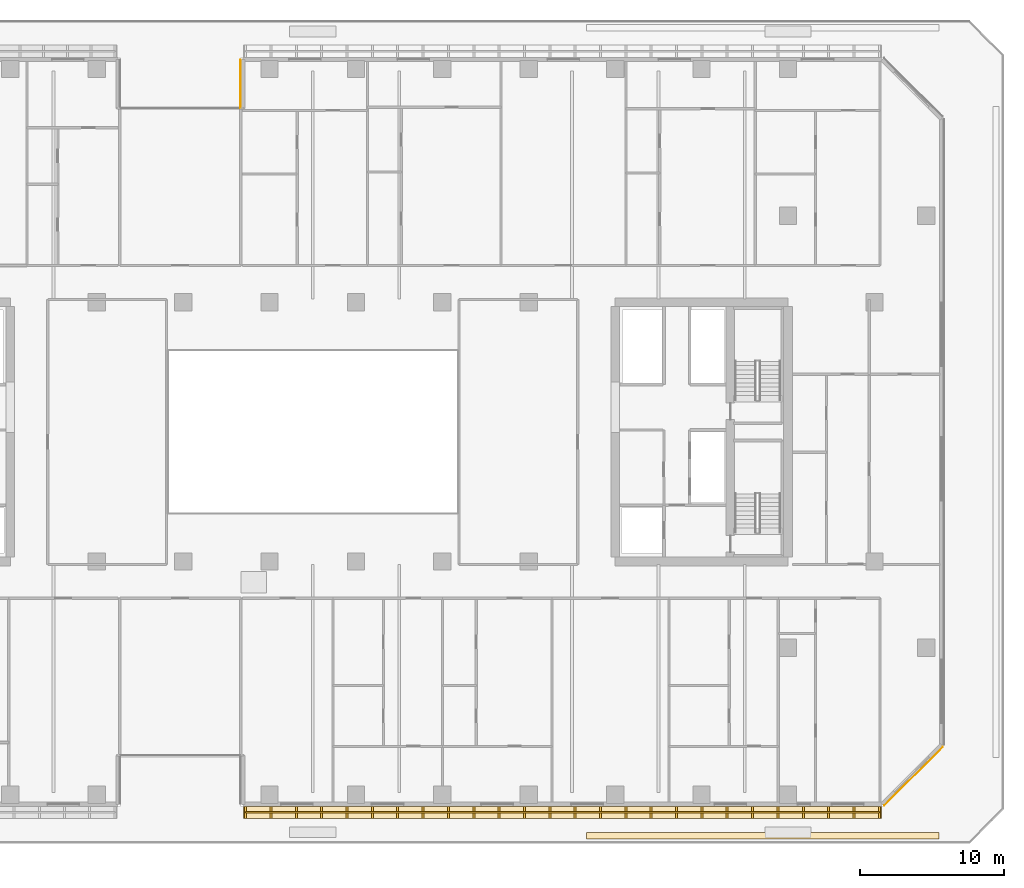
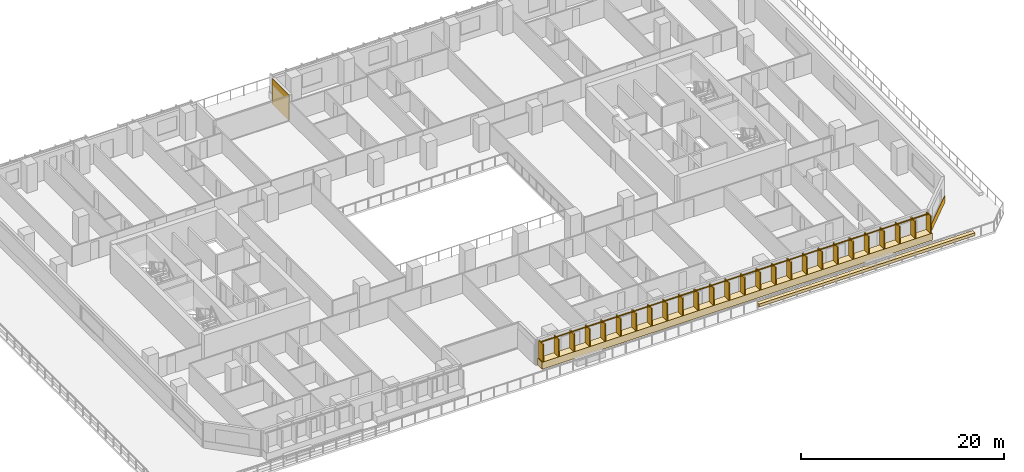
# One storey, part 19 of 23: 4 coverings, 1 railing.
"""IFC4 building model written with IfcOpenShell, lengths in metres."""

from ifc_helpers import new_model, si_unit, direction, frame, origin, origin_2d, place, context, subcontext, project, spatial, polyline, rectangle, outline, extrude, material, layer, layer_set, type_object, element, save


model = new_model("IFC4")

# Units and contexts
model_context = context("Model", 3, precision=1e-05, world=origin(), true_north=direction((0.0, 1.0)))
body_context = subcontext(model_context, "Body", "Model", "MODEL_VIEW")
ifc_project = project(units=[si_unit("LENGTHUNIT", "METRE"), si_unit("AREAUNIT", "SQUARE_METRE"), si_unit("VOLUMEUNIT", "CUBIC_METRE"), si_unit("PLANEANGLEUNIT", "RADIAN"), si_unit("MASSUNIT", "GRAM", prefix="KILO")], contexts=[model_context])

# Site, building, storey
site_placement = place(None, origin())
site = spatial("IfcSite", under=ifc_project, at=site_placement, CompositionType="ELEMENT")
building_placement = place(site_placement, origin())
building = spatial("IfcBuilding", under=site, at=building_placement, Name="Tanjung Sevakor Pilgrim Tower", CompositionType="ELEMENT")
storey_placement = place(building_placement, frame((0.0, 0.0, 29.0400390625)))
storey = spatial("IfcBuildingStorey", under=building, at=storey_placement, Name="L07", CompositionType="ELEMENT", Elevation=29.0400390625)

# Coverings
ifc_material_1 = material(Name="Reconstructed Limestone Cladding", Category="masonry")
ifc_layer_1 = layer(ifc_material_1, 0.044921875)
ifc_layer_set_1 = layer_set([ifc_layer_1], Name="COV-CLAD-LIMESTONE")
covering_type_1 = type_object("IfcCoveringType", Name="COV-CLAD-LIMESTONE", PredefinedType="CLADDING", material=ifc_layer_set_1)
covering_1_placement = place(storey_placement, frame((74.341064453125, 7.169921875, 0.009765625), z_axis=(0.0, 0.0, 1.0), x_axis=(1.0, 0.0, 0.0)))
element("IfcCovering", 1, at=covering_1_placement, inside=storey, type_object=covering_type_1, Name="L07 Warm Limestone Sill Spandrel EW-L07-MAIN-5-1", PredefinedType="CLADDING", context=body_context, shape_type="SweptSolid", body=[
    extrude(rectangle(XDim=44.322021484375, YDim=0.860107421875, at=origin_2d()), origin(), (0.0, 0.0, 1.0), 0.840087890625),
])
covering_2_placement = place(storey_placement, frame((98.7158203125, 9.68408203125, 0.009765625), z_axis=(0.0, 0.0, 1.0), x_axis=(0.707106781187, 0.707106781187, 0.0)))
element("IfcCovering", 2, at=covering_2_placement, inside=storey, type_object=covering_type_1, Name="L07 Warm Limestone Sill Spandrel EW-CHM-L07-MAIN-5-1", PredefinedType="CLADDING", context=body_context, shape_type="SweptSolid", body=[
    extrude(rectangle(XDim=5.74365234375, YDim=0.044921875, at=origin_2d()), origin(), (0.0, 0.0, 1.0), 0.840087890625),
])
covering_3_placement = place(storey_placement, frame((51.9775390625, 57.760009765625, 0.02001953125), z_axis=(0.0, 0.0, 1.0), x_axis=(0.0, -1.0, 0.0)))
element("IfcCovering", 3, at=covering_3_placement, inside=storey, type_object=covering_type_1, Name="L07 Warm Limestone Wall Cladding EW-L07-MAIN-10", PredefinedType="CLADDING", context=body_context, shape_type="SweptSolid", body=[
    extrude(rectangle(XDim=3.360107421875, YDim=0.044921875, at=origin_2d()), origin(), (0.0, 0.0, 1.0), 3.0400390625),
])
ifc_material_2 = material(Name="Vegetated Modular Planter Assembly", Category="organic")
ifc_layer_2 = layer(ifc_material_2, 0.35009765625)
ifc_layer_set_2 = layer_set([ifc_layer_2], Name="COV-GRN-TROUGH")
covering_type_2 = type_object("IfcCoveringType", Name="COV-GRN-TROUGH", PredefinedType="CLADDING", material=ifc_layer_set_2)
covering_4_placement = place(storey_placement, origin())
element("IfcCovering", 4, at=covering_4_placement, inside=storey, type_object=covering_type_2, Name="L07 Planted Landscape Hedge Trough PGRN-L07-SE", PredefinedType="CLADDING", context=body_context, shape_type="SweptSolid", body=[
    extrude(outline(polyline([(76.0, 5.330078125), (100.5, 5.330078125), (100.5, 5.77001953125), (76.0, 5.77001953125), (76.0, 5.330078125)])), origin(), (0.0, 0.0, 1.0), 0.349853515625),
])

# Railing
ifc_material_3 = material(Name="Anodised Bronze Aluminium 6063-T6", Category="aluminium")
railing_type = type_object("IfcRailingType", Name="RL-FIN-SCREEN", PredefinedType="BALUSTRADE", material=ifc_material_3)
railing_placement = place(storey_placement, frame((52.340087890625, 7.175048828125, 0.83984375)))
element("IfcRailing", 5, at=railing_placement, inside=storey, type_object=railing_type, Name="L07 Vertical Bronze-Gold Solar Fin Screen FNSCR-EW-L07-MAIN-5-1", PredefinedType="BALUSTRADE", context=body_context, shape_type="SweptSolid", body=[
    extrude(rectangle(XDim=0.105, YDim=0.105), frame((0.0, 0.0, 2.157470703125), z_axis=(1.0, 0.0, 0.0), x_axis=(0.0, 1.0, 0.0)), (0.0, 0.0, 1.0), 44.001953125),
    extrude(rectangle(XDim=0.14, YDim=0.85), origin(), (0.0, 0.0, 1.0), 2.10498046875),
    extrude(rectangle(XDim=0.14, YDim=0.85), frame((1.760009765625, 0.0, 0.0)), (0.0, 0.0, 1.0), 2.10498046875),
    extrude(rectangle(XDim=0.14, YDim=0.85), frame((3.520263671875, 0.0, 0.0)), (0.0, 0.0, 1.0), 2.10498046875),
    extrude(rectangle(XDim=0.14, YDim=0.85), frame((5.2802734375, 0.0, 0.0)), (0.0, 0.0, 1.0), 2.10498046875),
    extrude(rectangle(XDim=0.14, YDim=0.85), frame((7.040283203125, 0.0, 0.0)), (0.0, 0.0, 1.0), 2.10498046875),
    extrude(rectangle(XDim=0.14, YDim=0.85), frame((8.80029296875, 0.0, 0.0)), (0.0, 0.0, 1.0), 2.10498046875),
    extrude(rectangle(XDim=0.14, YDim=0.85), frame((10.560546875, 0.0, 0.0)), (0.0, 0.0, 1.0), 2.10498046875),
    extrude(rectangle(XDim=0.14, YDim=0.85), frame((12.320556640625, 0.0, 0.0)), (0.0, 0.0, 1.0), 2.10498046875),
    extrude(rectangle(XDim=0.14, YDim=0.85), frame((14.08056640625, 0.0, 0.0)), (0.0, 0.0, 1.0), 2.10498046875),
    extrude(rectangle(XDim=0.14, YDim=0.85), frame((15.8408203125, 0.0, 0.0)), (0.0, 0.0, 1.0), 2.10498046875),
    extrude(rectangle(XDim=0.14, YDim=0.85), frame((17.600830078125, 0.0, 0.0)), (0.0, 0.0, 1.0), 2.10498046875),
    extrude(rectangle(XDim=0.14, YDim=0.85), frame((19.36083984375, 0.0, 0.0)), (0.0, 0.0, 1.0), 2.10498046875),
    extrude(rectangle(XDim=0.14, YDim=0.85), frame((21.120849609375, 0.0, 0.0)), (0.0, 0.0, 1.0), 2.10498046875),
    extrude(rectangle(XDim=0.14, YDim=0.85), frame((22.881103515625, 0.0, 0.0)), (0.0, 0.0, 1.0), 2.10498046875),
    extrude(rectangle(XDim=0.14, YDim=0.85), frame((24.64111328125, 0.0, 0.0)), (0.0, 0.0, 1.0), 2.10498046875),
    extrude(rectangle(XDim=0.14, YDim=0.85), frame((26.401123046875, 0.0, 0.0)), (0.0, 0.0, 1.0), 2.10498046875),
    extrude(rectangle(XDim=0.14, YDim=0.85), frame((28.1611328125, 0.0, 0.0)), (0.0, 0.0, 1.0), 2.10498046875),
    extrude(rectangle(XDim=0.14, YDim=0.85), frame((29.92138671875, 0.0, 0.0)), (0.0, 0.0, 1.0), 2.10498046875),
    extrude(rectangle(XDim=0.14, YDim=0.85), frame((31.681396484375, 0.0, 0.0)), (0.0, 0.0, 1.0), 2.10498046875),
    extrude(rectangle(XDim=0.14, YDim=0.85), frame((33.44140625, 0.0, 0.0)), (0.0, 0.0, 1.0), 2.10498046875),
    extrude(rectangle(XDim=0.14, YDim=0.85), frame((35.20166015625, 0.0, 0.0)), (0.0, 0.0, 1.0), 2.10498046875),
    extrude(rectangle(XDim=0.14, YDim=0.85), frame((36.961669921875, 0.0, 0.0)), (0.0, 0.0, 1.0), 2.10498046875),
    extrude(rectangle(XDim=0.14, YDim=0.85), frame((38.7216796875, 0.0, 0.0)), (0.0, 0.0, 1.0), 2.10498046875),
    extrude(rectangle(XDim=0.14, YDim=0.85), frame((40.481689453125, 0.0, 0.0)), (0.0, 0.0, 1.0), 2.10498046875),
    extrude(rectangle(XDim=0.14, YDim=0.85), frame((42.241943359375, 0.0, 0.0)), (0.0, 0.0, 1.0), 2.10498046875),
    extrude(rectangle(XDim=0.14, YDim=0.85), frame((44.001953125, 0.0, 0.0)), (0.0, 0.0, 1.0), 2.10498046875),
])

save(model, "model.ifc")
